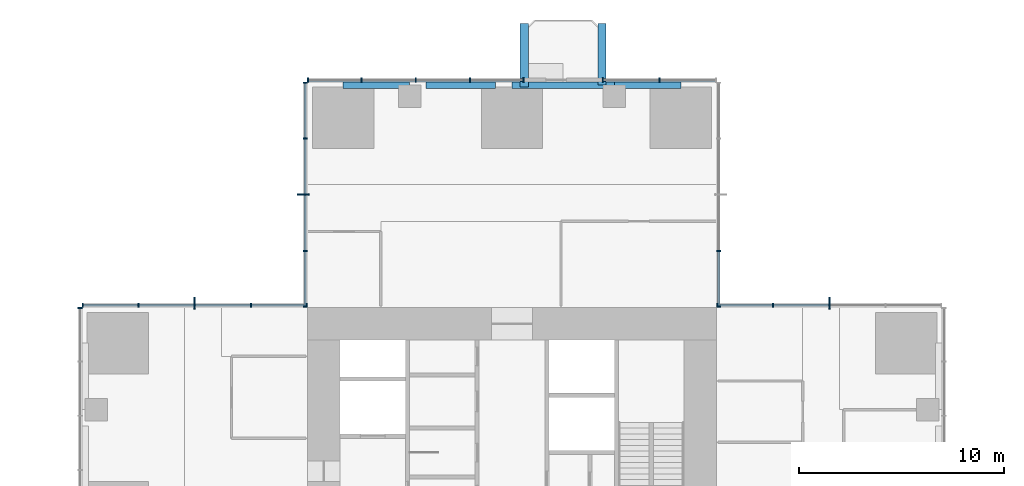
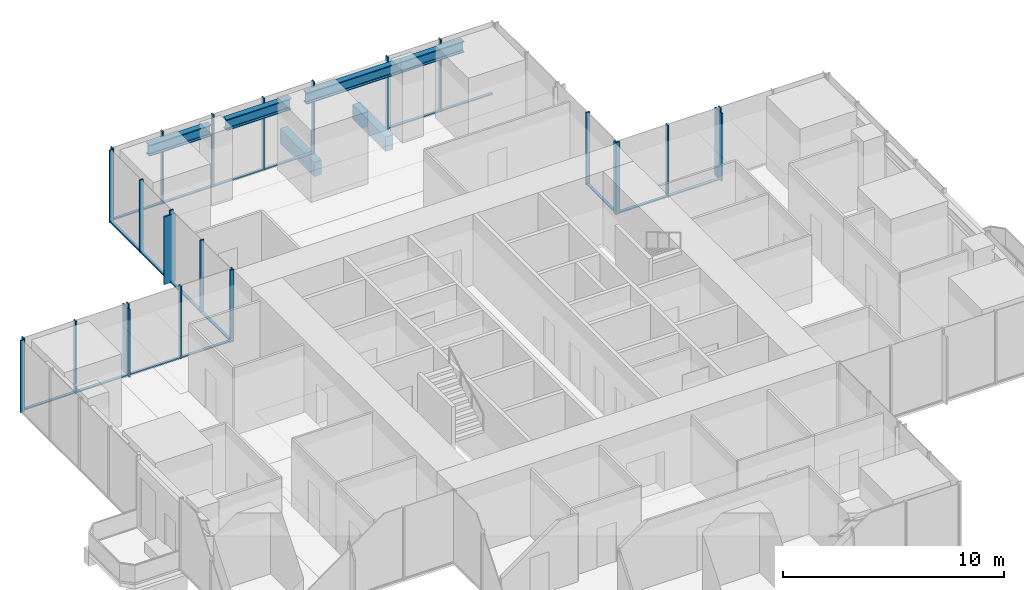
# One storey, part 5 of 13: 43 members, 6 beams, 7 elements without a shape of their own.
"""IFC4 building model written with IfcOpenShell, lengths in metres."""

from ifc_helpers import new_model, si_unit, direction, frame, origin, origin_2d, place, context, subcontext, project, spatial, rectangle, i_section, extrude, material, material_profile, profile_set, type_object, element, aggregate, save


model = new_model("IFC4")

# Units and contexts
model_context = context("Model", 3, precision=1e-05, world=origin(), true_north=direction((0.0, 1.0)))
body_context = subcontext(model_context, "Body", "Model", "MODEL_VIEW")
ifc_project = project(units=[si_unit("LENGTHUNIT", "METRE"), si_unit("AREAUNIT", "SQUARE_METRE"), si_unit("VOLUMEUNIT", "CUBIC_METRE"), si_unit("PLANEANGLEUNIT", "RADIAN"), si_unit("MASSUNIT", "GRAM", prefix="KILO")], contexts=[model_context])

# Site, building, storey
site_placement = place(None, origin())
site = spatial("IfcSite", under=ifc_project, at=site_placement, CompositionType="ELEMENT")
building_placement = place(site_placement, origin())
building = spatial("IfcBuilding", under=site, at=building_placement, Name="Svetlomir Tower", CompositionType="ELEMENT")
storey_placement = place(building_placement, frame((0.0, 0.0, 144.5)))
storey = spatial("IfcBuildingStorey", under=building, at=storey_placement, Name="L34", CompositionType="ELEMENT", Elevation=144.5)

# Beams
ifc_material_1 = material(Name="Concrete C60/75", Category="concrete")
ifc_material_profile_1 = material_profile(ifc_material_1, rectangle(XDim=0.39990234375, YDim=0.800048828125, at=origin_2d()), Name="RC 400x800")
ifc_profile_set_1 = profile_set([ifc_material_profile_1], Name="Concrete C60/75")
beam_type_1 = type_object("IfcBeamType", Name="BALCONY RIB RC 400x800", PredefinedType="BEAM", material=ifc_profile_set_1)
beam_1_placement = place(storey_placement, frame((21.60009765625, 41.75, -0.64990234375), z_axis=(0.0, 1.0, 0.0), x_axis=(-1.0, 0.0, 0.0)))
element("IfcBeam", 1, at=beam_1_placement, inside=storey, type_object=beam_type_1, Name="Balcony rib N 1 L34", PredefinedType="BEAM", context=body_context, shape_type="SweptSolid", body=[
    extrude(rectangle(XDim=0.39990234375, YDim=0.800048828125, at=origin_2d()), origin(), (0.0, 0.0, 1.0), 3.10009765625),
])
beam_2_placement = place(storey_placement, frame((25.39990234375, 41.85009765625, -0.64990234375), z_axis=(0.0, 1.0, 0.0), x_axis=(-1.0, 0.0, 0.0)))
element("IfcBeam", 2, at=beam_2_placement, inside=storey, type_object=beam_type_1, Name="Balcony rib N 2 L34", PredefinedType="BEAM", context=body_context, shape_type="SweptSolid", body=[
    extrude(rectangle(XDim=0.39990234375, YDim=0.800048828125, at=origin_2d()), origin(), (0.0, 0.0, 1.0), 3.0),
])

# Curtain wall, member
ifc_material_2 = material(Name="Bronze anodised aluminium curtain wall", Category="aluminium")
curtain_wall_type = type_object("IfcCurtainWallType", Name="CURTAIN WALL CW1 TOWER OFFICE", PredefinedType="NOTDEFINED", material=ifc_material_2)
curtain_wall_1_placement = place(storey_placement, origin())
curtain_wall_1 = element("IfcCurtainWall", 3, at=curtain_wall_1_placement, inside=storey, type_object=curtain_wall_type, Name="Curtain wall CW1 L34", PredefinedType="NOTDEFINED")
ifc_material_3 = material(Name="Bronze anodised aluminium", Category="aluminium")
ifc_material_profile_2 = material_profile(ifc_material_3, rectangle(XDim=0.080078125, YDim=0.60009765625, at=origin_2d()), Name="FIN 80x600")
ifc_profile_set_2 = profile_set([ifc_material_profile_2], Name="Bronze anodised aluminium 6063-T6")
member_type_1 = type_object("IfcMemberType", Name="BRONZE FIN 80x600", PredefinedType="USERDEFINED", material=ifc_profile_set_2)
member_1_placement = place(storey_placement, frame((36.5, 31.199951171875, 0.0), z_axis=(0.0, 0.0, 1.0), x_axis=(1.0, 0.0, 0.0)))
member_1 = element("IfcMember", 4, at=member_1_placement, type_object=member_type_1, Name="Bronze fin L34", ObjectType="FIN", PredefinedType="USERDEFINED", context=body_context, shape_type="SweptSolid", body=[
    extrude(rectangle(XDim=0.080078125, YDim=0.60009765625, at=origin_2d()), origin(), (0.0, 0.0, 1.0), 3.75),
])

curtain_wall_2_placement = place(storey_placement, origin())
curtain_wall_2 = element("IfcCurtainWall", 5, at=curtain_wall_2_placement, inside=storey, type_object=curtain_wall_type, Name="Curtain wall CW1 L34", PredefinedType="NOTDEFINED")
member_2_placement = place(storey_placement, frame((10.800048828125, 36.5, 0.0), z_axis=(0.0, 0.0, 1.0), x_axis=(0.0, 1.0, 0.0)))
member_2 = element("IfcMember", 6, at=member_2_placement, type_object=member_type_1, Name="Bronze fin L34", ObjectType="FIN", PredefinedType="USERDEFINED", context=body_context, shape_type="SweptSolid", body=[
    extrude(rectangle(XDim=0.080078125, YDim=0.60009765625, at=origin_2d()), origin(), (0.0, 0.0, 1.0), 3.75),
])

curtain_wall_3_placement = place(storey_placement, origin())
curtain_wall_3 = element("IfcCurtainWall", 7, at=curtain_wall_3_placement, inside=storey, type_object=curtain_wall_type, Name="Curtain wall CW1 L34", PredefinedType="NOTDEFINED")
member_3_placement = place(storey_placement, frame((5.5, 31.199951171875, 0.0), z_axis=(0.0, 0.0, 1.0), x_axis=(1.0, 0.0, 0.0)))
member_3 = element("IfcMember", 8, at=member_3_placement, type_object=member_type_1, Name="Bronze fin L34", ObjectType="FIN", PredefinedType="USERDEFINED", context=body_context, shape_type="SweptSolid", body=[
    extrude(rectangle(XDim=0.080078125, YDim=0.60009765625, at=origin_2d()), origin(), (0.0, 0.0, 1.0), 3.75),
])

# Member
ifc_material_4 = material(Name="Bronze anodised aluminium", Category="aluminium")
ifc_material_profile_3 = material_profile(ifc_material_4, rectangle(XDim=0.06494140625, YDim=0.199951171875, at=origin_2d()), Name="AL 65x200")
ifc_profile_set_3 = profile_set([ifc_material_profile_3], Name="Bronze anodised aluminium 6063-T6")
member_type_2 = type_object("IfcMemberType", Name="CW1 MULLION 65x200", PredefinedType="MULLION", material=ifc_profile_set_3)
member_4_placement = place(storey_placement, frame((36.5, 31.10009765625, 0.0), z_axis=(0.0, 0.0, 1.0), x_axis=(-1.0, 0.0, 0.0)))
member_4 = element("IfcMember", 9, at=member_4_placement, type_object=member_type_2, Name="CW1 mullion 3", PredefinedType="MULLION", context=body_context, shape_type="SweptSolid", body=[
    extrude(rectangle(XDim=0.06494140625, YDim=0.199951171875, at=origin_2d()), origin(), (0.0, 0.0, 1.0), 4.0),
])

member_5_placement = place(storey_placement, frame((33.75, 31.10009765625, 0.0), z_axis=(0.0, 0.0, 1.0), x_axis=(-1.0, 0.0, 0.0)))
member_5 = element("IfcMember", 10, at=member_5_placement, type_object=member_type_2, Name="CW1 mullion 4", PredefinedType="MULLION", context=body_context, shape_type="SweptSolid", body=[
    extrude(rectangle(XDim=0.06494140625, YDim=0.199951171875, at=origin_2d()), origin(), (0.0, 0.0, 1.0), 4.0),
])

member_6_placement = place(storey_placement, frame((31.032470703125, 31.10009765625, 0.0), z_axis=(0.0, 0.0, 1.0), x_axis=(-1.0, 0.0, 0.0)))
member_6 = element("IfcMember", 11, at=member_6_placement, type_object=member_type_2, Name="CW1 mullion 5", PredefinedType="MULLION", context=body_context, shape_type="SweptSolid", body=[
    extrude(rectangle(XDim=0.06494140625, YDim=0.199951171875, at=origin_2d()), origin(), (0.0, 0.0, 1.0), 4.0),
])

# Curtain wall, members
curtain_wall_4_placement = place(storey_placement, origin())
curtain_wall_4 = element("IfcCurtainWall", 12, at=curtain_wall_4_placement, inside=storey, type_object=curtain_wall_type, Name="Curtain wall CW1 L34", PredefinedType="NOTDEFINED")
member_7_placement = place(storey_placement, frame((31.10009765625, 31.032470703125, 0.0), z_axis=(0.0, 0.0, 1.0), x_axis=(0.0, 1.0, 0.0)))
member_7 = element("IfcMember", 13, at=member_7_placement, type_object=member_type_2, Name="CW1 mullion 1", PredefinedType="MULLION", context=body_context, shape_type="SweptSolid", body=[
    extrude(rectangle(XDim=0.06494140625, YDim=0.199951171875, at=origin_2d()), origin(), (0.0, 0.0, 1.0), 4.0),
])
member_8_placement = place(storey_placement, frame((31.10009765625, 33.75, 0.0), z_axis=(0.0, 0.0, 1.0), x_axis=(0.0, 1.0, 0.0)))
member_8 = element("IfcMember", 14, at=member_8_placement, type_object=member_type_2, Name="CW1 mullion 2", PredefinedType="MULLION", context=body_context, shape_type="SweptSolid", body=[
    extrude(rectangle(XDim=0.06494140625, YDim=0.199951171875, at=origin_2d()), origin(), (0.0, 0.0, 1.0), 4.0),
])

curtain_wall_5_placement = place(storey_placement, origin())
curtain_wall_5 = element("IfcCurtainWall", 15, at=curtain_wall_5_placement, inside=storey, type_object=curtain_wall_type, Name="Curtain wall CW1 L34", PredefinedType="NOTDEFINED")
member_9_placement = place(storey_placement, frame((28.199951171875, 42.10009765625, 0.0), z_axis=(0.0, 0.0, 1.0), x_axis=(-1.0, 0.0, 0.0)))
member_9 = element("IfcMember", 16, at=member_9_placement, type_object=member_type_2, Name="CW1 mullion 2", PredefinedType="MULLION", context=body_context, shape_type="SweptSolid", body=[
    extrude(rectangle(XDim=0.06494140625, YDim=0.199951171875, at=origin_2d()), origin(), (0.0, 0.0, 1.0), 4.0),
])
member_10_placement = place(storey_placement, frame((25.4326171875, 42.10009765625, 0.0), z_axis=(0.0, 0.0, 1.0), x_axis=(-1.0, 0.0, 0.0)))
member_10 = element("IfcMember", 17, at=member_10_placement, type_object=member_type_2, Name="CW1 mullion 3", PredefinedType="MULLION", context=body_context, shape_type="SweptSolid", body=[
    extrude(rectangle(XDim=0.06494140625, YDim=0.199951171875, at=origin_2d()), origin(), (0.0, 0.0, 1.0), 4.0),
])

curtain_wall_6_placement = place(storey_placement, origin())
curtain_wall_6 = element("IfcCurtainWall", 18, at=curtain_wall_6_placement, inside=storey, type_object=curtain_wall_type, Name="Curtain wall CW1 L34", PredefinedType="NOTDEFINED")
member_11_placement = place(storey_placement, frame((21.5673828125, 42.10009765625, 0.0), z_axis=(0.0, 0.0, 1.0), x_axis=(-1.0, 0.0, 0.0)))
member_11 = element("IfcMember", 19, at=member_11_placement, type_object=member_type_2, Name="CW1 mullion 1", PredefinedType="MULLION", context=body_context, shape_type="SweptSolid", body=[
    extrude(rectangle(XDim=0.06494140625, YDim=0.199951171875, at=origin_2d()), origin(), (0.0, 0.0, 1.0), 4.0),
])
member_12_placement = place(storey_placement, frame((18.949951171875, 42.10009765625, 0.0), z_axis=(0.0, 0.0, 1.0), x_axis=(-1.0, 0.0, 0.0)))
member_12 = element("IfcMember", 20, at=member_12_placement, type_object=member_type_2, Name="CW1 mullion 2", PredefinedType="MULLION", context=body_context, shape_type="SweptSolid", body=[
    extrude(rectangle(XDim=0.06494140625, YDim=0.199951171875, at=origin_2d()), origin(), (0.0, 0.0, 1.0), 4.0),
])
member_13_placement = place(storey_placement, frame((16.300048828125, 42.10009765625, 0.0), z_axis=(0.0, 0.0, 1.0), x_axis=(-1.0, 0.0, 0.0)))
member_13 = element("IfcMember", 21, at=member_13_placement, type_object=member_type_2, Name="CW1 mullion 3", PredefinedType="MULLION", context=body_context, shape_type="SweptSolid", body=[
    extrude(rectangle(XDim=0.06494140625, YDim=0.199951171875, at=origin_2d()), origin(), (0.0, 0.0, 1.0), 4.0),
])
member_14_placement = place(storey_placement, frame((13.64990234375, 42.10009765625, 0.0), z_axis=(0.0, 0.0, 1.0), x_axis=(-1.0, 0.0, 0.0)))
member_14 = element("IfcMember", 22, at=member_14_placement, type_object=member_type_2, Name="CW1 mullion 4", PredefinedType="MULLION", context=body_context, shape_type="SweptSolid", body=[
    extrude(rectangle(XDim=0.06494140625, YDim=0.199951171875, at=origin_2d()), origin(), (0.0, 0.0, 1.0), 4.0),
])
member_15_placement = place(storey_placement, frame((11.032470703125, 42.10009765625, 0.0), z_axis=(0.0, 0.0, 1.0), x_axis=(-1.0, 0.0, 0.0)))
member_15 = element("IfcMember", 23, at=member_15_placement, type_object=member_type_2, Name="CW1 mullion 5", PredefinedType="MULLION", context=body_context, shape_type="SweptSolid", body=[
    extrude(rectangle(XDim=0.06494140625, YDim=0.199951171875, at=origin_2d()), origin(), (0.0, 0.0, 1.0), 4.0),
])

# Member
member_16_placement = place(storey_placement, frame((10.89990234375, 41.967529296875, 0.0), z_axis=(0.0, 0.0, 1.0), x_axis=(0.0, -1.0, 0.0)))
member_16 = element("IfcMember", 24, at=member_16_placement, type_object=member_type_2, Name="CW1 mullion 1", PredefinedType="MULLION", context=body_context, shape_type="SweptSolid", body=[
    extrude(rectangle(XDim=0.06494140625, YDim=0.199951171875, at=origin_2d()), origin(), (0.0, 0.0, 1.0), 4.0),
])

member_17_placement = place(storey_placement, frame((10.89990234375, 39.25, 0.0), z_axis=(0.0, 0.0, 1.0), x_axis=(0.0, -1.0, 0.0)))
member_17 = element("IfcMember", 25, at=member_17_placement, type_object=member_type_2, Name="CW1 mullion 2", PredefinedType="MULLION", context=body_context, shape_type="SweptSolid", body=[
    extrude(rectangle(XDim=0.06494140625, YDim=0.199951171875, at=origin_2d()), origin(), (0.0, 0.0, 1.0), 4.0),
])

member_18_placement = place(storey_placement, frame((10.89990234375, 36.5, 0.0), z_axis=(0.0, 0.0, 1.0), x_axis=(0.0, -1.0, 0.0)))
member_18 = element("IfcMember", 26, at=member_18_placement, type_object=member_type_2, Name="CW1 mullion 3", PredefinedType="MULLION", context=body_context, shape_type="SweptSolid", body=[
    extrude(rectangle(XDim=0.06494140625, YDim=0.199951171875, at=origin_2d()), origin(), (0.0, 0.0, 1.0), 4.0),
])

member_19_placement = place(storey_placement, frame((10.89990234375, 33.75, 0.0), z_axis=(0.0, 0.0, 1.0), x_axis=(0.0, -1.0, 0.0)))
member_19 = element("IfcMember", 27, at=member_19_placement, type_object=member_type_2, Name="CW1 mullion 4", PredefinedType="MULLION", context=body_context, shape_type="SweptSolid", body=[
    extrude(rectangle(XDim=0.06494140625, YDim=0.199951171875, at=origin_2d()), origin(), (0.0, 0.0, 1.0), 4.0),
])

member_20_placement = place(storey_placement, frame((10.89990234375, 31.032470703125, 0.0), z_axis=(0.0, 0.0, 1.0), x_axis=(0.0, -1.0, 0.0)))
member_20 = element("IfcMember", 28, at=member_20_placement, type_object=member_type_2, Name="CW1 mullion 5", PredefinedType="MULLION", context=body_context, shape_type="SweptSolid", body=[
    extrude(rectangle(XDim=0.06494140625, YDim=0.199951171875, at=origin_2d()), origin(), (0.0, 0.0, 1.0), 4.0),
])

member_21_placement = place(storey_placement, frame((10.967529296875, 31.10009765625, 0.0), z_axis=(0.0, 0.0, 1.0), x_axis=(-1.0, 0.0, 0.0)))
member_21 = element("IfcMember", 29, at=member_21_placement, type_object=member_type_2, Name="CW1 mullion 1", PredefinedType="MULLION", context=body_context, shape_type="SweptSolid", body=[
    extrude(rectangle(XDim=0.06494140625, YDim=0.199951171875, at=origin_2d()), origin(), (0.0, 0.0, 1.0), 4.0),
])

member_22_placement = place(storey_placement, frame((8.25, 31.10009765625, 0.0), z_axis=(0.0, 0.0, 1.0), x_axis=(-1.0, 0.0, 0.0)))
member_22 = element("IfcMember", 30, at=member_22_placement, type_object=member_type_2, Name="CW1 mullion 2", PredefinedType="MULLION", context=body_context, shape_type="SweptSolid", body=[
    extrude(rectangle(XDim=0.06494140625, YDim=0.199951171875, at=origin_2d()), origin(), (0.0, 0.0, 1.0), 4.0),
])

member_23_placement = place(storey_placement, frame((5.5, 31.10009765625, 0.0), z_axis=(0.0, 0.0, 1.0), x_axis=(-1.0, 0.0, 0.0)))
member_23 = element("IfcMember", 31, at=member_23_placement, type_object=member_type_2, Name="CW1 mullion 3", PredefinedType="MULLION", context=body_context, shape_type="SweptSolid", body=[
    extrude(rectangle(XDim=0.06494140625, YDim=0.199951171875, at=origin_2d()), origin(), (0.0, 0.0, 1.0), 4.0),
])

member_24_placement = place(storey_placement, frame((2.75, 31.10009765625, 0.0), z_axis=(0.0, 0.0, 1.0), x_axis=(-1.0, 0.0, 0.0)))
member_24 = element("IfcMember", 32, at=member_24_placement, type_object=member_type_2, Name="CW1 mullion 4", PredefinedType="MULLION", context=body_context, shape_type="SweptSolid", body=[
    extrude(rectangle(XDim=0.06494140625, YDim=0.199951171875, at=origin_2d()), origin(), (0.0, 0.0, 1.0), 4.0),
])

member_25_placement = place(storey_placement, frame((0.032470703125, 31.10009765625, 0.0), z_axis=(0.0, 0.0, 1.0), x_axis=(-1.0, 0.0, 0.0)))
member_25 = element("IfcMember", 33, at=member_25_placement, type_object=member_type_2, Name="CW1 mullion 5", PredefinedType="MULLION", context=body_context, shape_type="SweptSolid", body=[
    extrude(rectangle(XDim=0.06494140625, YDim=0.199951171875, at=origin_2d()), origin(), (0.0, 0.0, 1.0), 4.0),
])

# Curtain wall, member
curtain_wall_7_placement = place(storey_placement, origin())
curtain_wall_7 = element("IfcCurtainWall", 34, at=curtain_wall_7_placement, inside=storey, type_object=curtain_wall_type, Name="Curtain wall CW1 L34", PredefinedType="NOTDEFINED")
member_26_placement = place(storey_placement, frame((-0.10009765625, 30.967529296875, 0.0), z_axis=(0.0, 0.0, 1.0), x_axis=(0.0, -1.0, 0.0)))
member_26 = element("IfcMember", 35, at=member_26_placement, type_object=member_type_2, Name="CW1 mullion 1", PredefinedType="MULLION", context=body_context, shape_type="SweptSolid", body=[
    extrude(rectangle(XDim=0.06494140625, YDim=0.199951171875, at=origin_2d()), origin(), (0.0, 0.0, 1.0), 4.0),
])
aggregate(curtain_wall_7, [member_26])

# Member
ifc_material_5 = material(Name="Bronze anodised aluminium", Category="aluminium")
ifc_material_profile_4 = material_profile(ifc_material_5, rectangle(XDim=0.139892578125, YDim=0.06494140625, at=origin_2d()), Name="AL 140x65")
ifc_profile_set_4 = profile_set([ifc_material_profile_4], Name="Bronze anodised aluminium 6063-T6")
member_type_3 = type_object("IfcMemberType", Name="CW1 TRANSOM 65x140", PredefinedType="USERDEFINED", material=ifc_profile_set_4)
member_27_placement = place(storey_placement, frame((36.467529296875, 31.10009765625, 0.032470703125), z_axis=(-1.0, 0.0, 0.0), x_axis=(0.0, -1.0, 0.0)))
member_27 = element("IfcMember", 36, at=member_27_placement, type_object=member_type_3, Name="CW1 transom 3.1", ObjectType="TRANSOM", PredefinedType="USERDEFINED", context=body_context, shape_type="SweptSolid", body=[
    extrude(rectangle(XDim=0.139892578125, YDim=0.06494140625, at=origin_2d()), origin(), (0.0, 0.0, 1.0), 2.68505859375),
])

member_28_placement = place(storey_placement, frame((33.717529296875, 31.10009765625, 0.032470703125), z_axis=(-1.0, 0.0, 0.0), x_axis=(0.0, -1.0, 0.0)))
member_28 = element("IfcMember", 37, at=member_28_placement, type_object=member_type_3, Name="CW1 transom 4.1", ObjectType="TRANSOM", PredefinedType="USERDEFINED", context=body_context, shape_type="SweptSolid", body=[
    extrude(rectangle(XDim=0.139892578125, YDim=0.06494140625, at=origin_2d()), origin(), (0.0, 0.0, 1.0), 2.652587890625),
])

aggregate(curtain_wall_1, [member_4, member_5, member_6, member_27, member_28, member_1])

member_29_placement = place(storey_placement, frame((31.10009765625, 31.06494140625, 0.032470703125), z_axis=(0.0, 1.0, 0.0), x_axis=(-1.0, 0.0, 0.0)))
member_29 = element("IfcMember", 38, at=member_29_placement, type_object=member_type_3, Name="CW1 transom 1.1", ObjectType="TRANSOM", PredefinedType="USERDEFINED", context=body_context, shape_type="SweptSolid", body=[
    extrude(rectangle(XDim=0.139892578125, YDim=0.06494140625, at=origin_2d()), origin(), (0.0, 0.0, 1.0), 2.652587890625),
])

aggregate(curtain_wall_4, [member_7, member_8, member_29])

member_30_placement = place(storey_placement, frame((30.93505859375, 42.10009765625, 0.032470703125), z_axis=(-1.0, 0.0, 0.0), x_axis=(0.0, -1.0, 0.0)))
member_30 = element("IfcMember", 39, at=member_30_placement, type_object=member_type_3, Name="CW1 transom 1.1", ObjectType="TRANSOM", PredefinedType="USERDEFINED", context=body_context, shape_type="SweptSolid", body=[
    extrude(rectangle(XDim=0.139892578125, YDim=0.06494140625, at=origin_2d()), origin(), (0.0, 0.0, 1.0), 2.70263671875),
])

member_31_placement = place(storey_placement, frame((28.16748046875, 42.10009765625, 0.032470703125), z_axis=(-1.0, 0.0, 0.0), x_axis=(0.0, -1.0, 0.0)))
member_31 = element("IfcMember", 40, at=member_31_placement, type_object=member_type_3, Name="CW1 transom 2.1", ObjectType="TRANSOM", PredefinedType="USERDEFINED", context=body_context, shape_type="SweptSolid", body=[
    extrude(rectangle(XDim=0.139892578125, YDim=0.06494140625, at=origin_2d()), origin(), (0.0, 0.0, 1.0), 2.702392578125),
])

aggregate(curtain_wall_5, [member_9, member_10, member_30, member_31])

member_32_placement = place(storey_placement, frame((21.534912109375, 42.10009765625, 0.032470703125), z_axis=(-1.0, 0.0, 0.0), x_axis=(0.0, -1.0, 0.0)))
member_32 = element("IfcMember", 41, at=member_32_placement, type_object=member_type_3, Name="CW1 transom 1.1", ObjectType="TRANSOM", PredefinedType="USERDEFINED", context=body_context, shape_type="SweptSolid", body=[
    extrude(rectangle(XDim=0.139892578125, YDim=0.06494140625, at=origin_2d()), origin(), (0.0, 0.0, 1.0), 2.552490234375),
])

member_33_placement = place(storey_placement, frame((18.91748046875, 42.10009765625, 0.032470703125), z_axis=(-1.0, 0.0, 0.0), x_axis=(0.0, -1.0, 0.0)))
member_33 = element("IfcMember", 42, at=member_33_placement, type_object=member_type_3, Name="CW1 transom 2.1", ObjectType="TRANSOM", PredefinedType="USERDEFINED", context=body_context, shape_type="SweptSolid", body=[
    extrude(rectangle(XDim=0.139892578125, YDim=0.06494140625, at=origin_2d()), origin(), (0.0, 0.0, 1.0), 2.5849609375),
])

member_34_placement = place(storey_placement, frame((16.267578125, 42.10009765625, 0.032470703125), z_axis=(-1.0, 0.0, 0.0), x_axis=(0.0, -1.0, 0.0)))
member_34 = element("IfcMember", 43, at=member_34_placement, type_object=member_type_3, Name="CW1 transom 3.1", ObjectType="TRANSOM", PredefinedType="USERDEFINED", context=body_context, shape_type="SweptSolid", body=[
    extrude(rectangle(XDim=0.139892578125, YDim=0.06494140625, at=origin_2d()), origin(), (0.0, 0.0, 1.0), 2.5849609375),
])

member_35_placement = place(storey_placement, frame((13.617431640625, 42.10009765625, 0.032470703125), z_axis=(-1.0, 0.0, 0.0), x_axis=(0.0, -1.0, 0.0)))
member_35 = element("IfcMember", 44, at=member_35_placement, type_object=member_type_3, Name="CW1 transom 4.1", ObjectType="TRANSOM", PredefinedType="USERDEFINED", context=body_context, shape_type="SweptSolid", body=[
    extrude(rectangle(XDim=0.139892578125, YDim=0.06494140625, at=origin_2d()), origin(), (0.0, 0.0, 1.0), 2.552490234375),
])

aggregate(curtain_wall_6, [member_11, member_12, member_13, member_14, member_15, member_32, member_33, member_34, member_35])

member_36_placement = place(storey_placement, frame((10.89990234375, 41.93505859375, 0.032470703125), z_axis=(0.0, -1.0, 0.0), x_axis=(1.0, 0.0, 0.0)))
member_36 = element("IfcMember", 45, at=member_36_placement, type_object=member_type_3, Name="CW1 transom 1.1", ObjectType="TRANSOM", PredefinedType="USERDEFINED", context=body_context, shape_type="SweptSolid", body=[
    extrude(rectangle(XDim=0.139892578125, YDim=0.06494140625, at=origin_2d()), origin(), (0.0, 0.0, 1.0), 2.652587890625),
])

member_37_placement = place(storey_placement, frame((10.89990234375, 39.217529296875, 0.032470703125), z_axis=(0.0, -1.0, 0.0), x_axis=(1.0, 0.0, 0.0)))
member_37 = element("IfcMember", 46, at=member_37_placement, type_object=member_type_3, Name="CW1 transom 2.1", ObjectType="TRANSOM", PredefinedType="USERDEFINED", context=body_context, shape_type="SweptSolid", body=[
    extrude(rectangle(XDim=0.139892578125, YDim=0.06494140625, at=origin_2d()), origin(), (0.0, 0.0, 1.0), 2.68505859375),
])

member_38_placement = place(storey_placement, frame((10.89990234375, 36.467529296875, 0.032470703125), z_axis=(0.0, -1.0, 0.0), x_axis=(1.0, 0.0, 0.0)))
member_38 = element("IfcMember", 47, at=member_38_placement, type_object=member_type_3, Name="CW1 transom 3.1", ObjectType="TRANSOM", PredefinedType="USERDEFINED", context=body_context, shape_type="SweptSolid", body=[
    extrude(rectangle(XDim=0.139892578125, YDim=0.06494140625, at=origin_2d()), origin(), (0.0, 0.0, 1.0), 2.68505859375),
])

member_39_placement = place(storey_placement, frame((10.89990234375, 33.717529296875, 0.032470703125), z_axis=(0.0, -1.0, 0.0), x_axis=(1.0, 0.0, 0.0)))
member_39 = element("IfcMember", 48, at=member_39_placement, type_object=member_type_3, Name="CW1 transom 4.1", ObjectType="TRANSOM", PredefinedType="USERDEFINED", context=body_context, shape_type="SweptSolid", body=[
    extrude(rectangle(XDim=0.139892578125, YDim=0.06494140625, at=origin_2d()), origin(), (0.0, 0.0, 1.0), 2.652587890625),
])

aggregate(curtain_wall_2, [member_16, member_17, member_18, member_19, member_20, member_36, member_37, member_38, member_39, member_2])

member_40_placement = place(storey_placement, frame((10.93505859375, 31.10009765625, 0.032470703125), z_axis=(-1.0, 0.0, 0.0), x_axis=(0.0, -1.0, 0.0)))
member_40 = element("IfcMember", 49, at=member_40_placement, type_object=member_type_3, Name="CW1 transom 1.1", ObjectType="TRANSOM", PredefinedType="USERDEFINED", context=body_context, shape_type="SweptSolid", body=[
    extrude(rectangle(XDim=0.139892578125, YDim=0.06494140625, at=origin_2d()), origin(), (0.0, 0.0, 1.0), 2.652587890625),
])

member_41_placement = place(storey_placement, frame((8.217529296875, 31.10009765625, 0.032470703125), z_axis=(-1.0, 0.0, 0.0), x_axis=(0.0, -1.0, 0.0)))
member_41 = element("IfcMember", 50, at=member_41_placement, type_object=member_type_3, Name="CW1 transom 2.1", ObjectType="TRANSOM", PredefinedType="USERDEFINED", context=body_context, shape_type="SweptSolid", body=[
    extrude(rectangle(XDim=0.139892578125, YDim=0.06494140625, at=origin_2d()), origin(), (0.0, 0.0, 1.0), 2.68505859375),
])

member_42_placement = place(storey_placement, frame((5.467529296875, 31.10009765625, 0.032470703125), z_axis=(-1.0, 0.0, 0.0), x_axis=(0.0, -1.0, 0.0)))
member_42 = element("IfcMember", 51, at=member_42_placement, type_object=member_type_3, Name="CW1 transom 3.1", ObjectType="TRANSOM", PredefinedType="USERDEFINED", context=body_context, shape_type="SweptSolid", body=[
    extrude(rectangle(XDim=0.139892578125, YDim=0.06494140625, at=origin_2d()), origin(), (0.0, 0.0, 1.0), 2.68505859375),
])

member_43_placement = place(storey_placement, frame((2.717529296875, 31.10009765625, 0.032470703125), z_axis=(-1.0, 0.0, 0.0), x_axis=(0.0, -1.0, 0.0)))
member_43 = element("IfcMember", 52, at=member_43_placement, type_object=member_type_3, Name="CW1 transom 4.1", ObjectType="TRANSOM", PredefinedType="USERDEFINED", context=body_context, shape_type="SweptSolid", body=[
    extrude(rectangle(XDim=0.139892578125, YDim=0.06494140625, at=origin_2d()), origin(), (0.0, 0.0, 1.0), 2.652587890625),
])

aggregate(curtain_wall_3, [member_21, member_22, member_23, member_24, member_25, member_40, member_41, member_42, member_43, member_3])

# Beams
ifc_material_6 = material(Name="Steel S355", Category="steel")
ifc_material_profile_5 = material_profile(ifc_material_6, i_section(OverallWidth=0.304931640625, OverallDepth=0.6201171875, WebThickness=0.02099609375, FlangeThickness=0.0400390625, FilletRadius=0.027099609375, at=origin_2d()), Name="HEM 600")
ifc_profile_set_5 = profile_set([ifc_material_profile_5], Name="Steel S355")
beam_type_2 = type_object("IfcBeamType", Name="EDGE BEAM HEM 600", PredefinedType="SPANDREL", material=ifc_profile_set_5)
beam_3_placement = place(storey_placement, frame((12.75, 41.847412109375, 3.43994140625), z_axis=(1.0, 0.0, 0.0), x_axis=(0.0, 1.0, 0.0)))
element("IfcBeam", 53, at=beam_3_placement, inside=storey, type_object=beam_type_2, Name="Edge beam 11/42 to 16/42 under L35", PredefinedType="SPANDREL", context=body_context, shape_type="SweptSolid", body=[
    extrude(i_section(OverallWidth=0.304931640625, OverallDepth=0.6201171875, WebThickness=0.02099609375, FlangeThickness=0.0400390625, FilletRadius=0.027099609375, at=origin_2d()), origin(), (0.0, 0.0, 1.0), 3.25),
])
beam_4_placement = place(storey_placement, frame((16.800048828125, 41.847412109375, 3.43994140625), z_axis=(1.0, 0.0, 0.0), x_axis=(0.0, 1.0, 0.0)))
element("IfcBeam", 54, at=beam_4_placement, inside=storey, type_object=beam_type_2, Name="Edge beam 16/42 to 21/42 under L35", PredefinedType="SPANDREL", context=body_context, shape_type="SweptSolid", body=[
    extrude(i_section(OverallWidth=0.304931640625, OverallDepth=0.6201171875, WebThickness=0.02099609375, FlangeThickness=0.0400390625, FilletRadius=0.027099609375, at=origin_2d()), origin(), (0.0, 0.0, 1.0), 3.39990234375),
])
beam_5_placement = place(storey_placement, frame((21.0, 41.847412109375, 3.43994140625), z_axis=(1.0, 0.0, 0.0), x_axis=(0.0, 1.0, 0.0)))
element("IfcBeam", 55, at=beam_5_placement, inside=storey, type_object=beam_type_2, Name="Edge beam 21/42 to 26/42 under L35", PredefinedType="SPANDREL", context=body_context, shape_type="SweptSolid", body=[
    extrude(i_section(OverallWidth=0.304931640625, OverallDepth=0.6201171875, WebThickness=0.02099609375, FlangeThickness=0.0400390625, FilletRadius=0.027099609375, at=origin_2d()), origin(), (0.0, 0.0, 1.0), 5.0),
])
beam_6_placement = place(storey_placement, frame((26.0, 41.847412109375, 3.43994140625), z_axis=(1.0, 0.0, 0.0), x_axis=(0.0, 1.0, 0.0)))
element("IfcBeam", 56, at=beam_6_placement, inside=storey, type_object=beam_type_2, Name="Edge beam 26/42 to 31/42 under L35", PredefinedType="SPANDREL", context=body_context, shape_type="SweptSolid", body=[
    extrude(i_section(OverallWidth=0.304931640625, OverallDepth=0.6201171875, WebThickness=0.02099609375, FlangeThickness=0.0400390625, FilletRadius=0.027099609375, at=origin_2d()), origin(), (0.0, 0.0, 1.0), 3.25),
])

save(model, "model.ifc")
